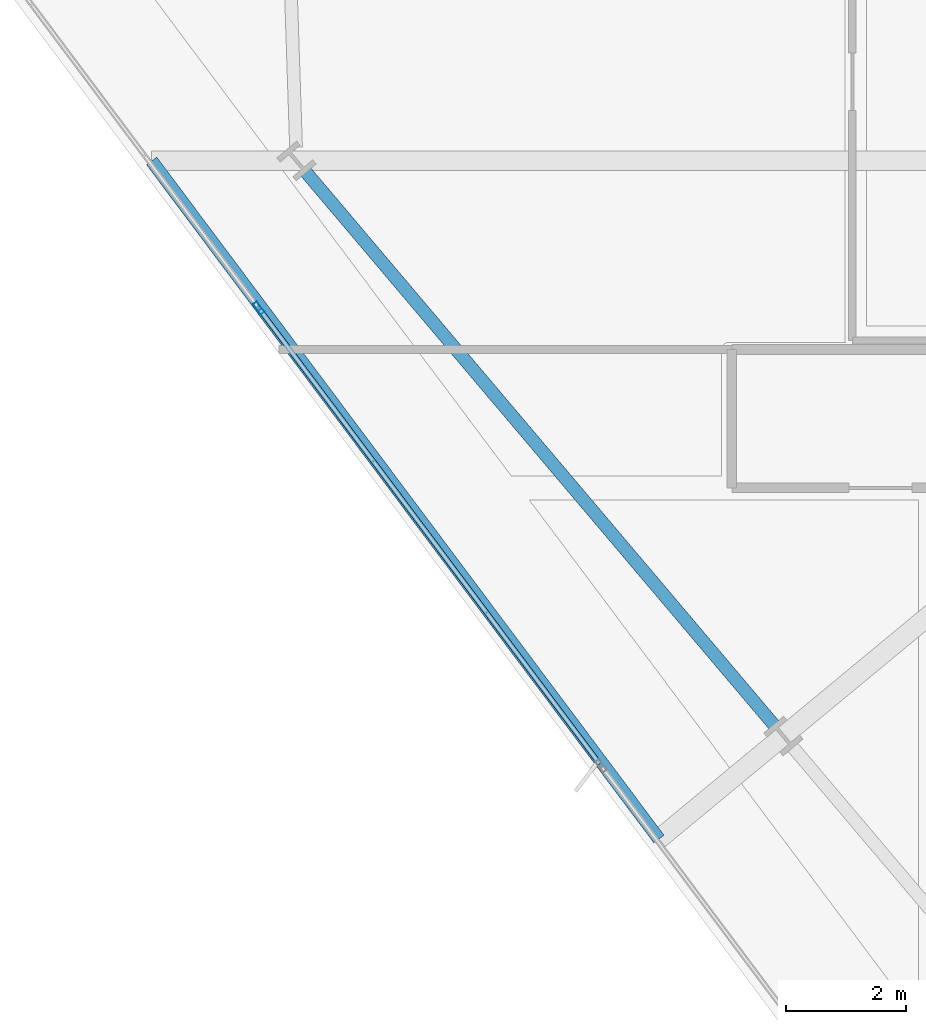
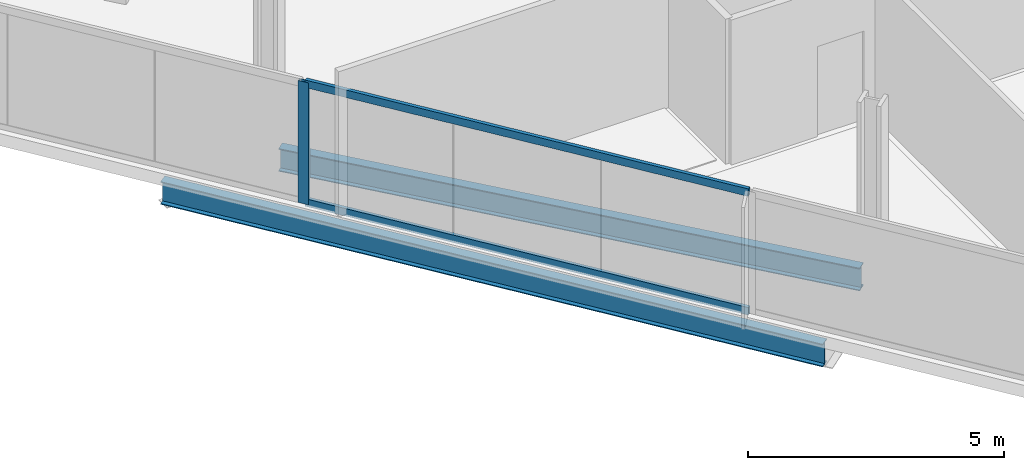
# One storey, part 4 of 32: 3 members, 2 beams, 1 element without a shape of its own.
"""IFC4 building model written with IfcOpenShell, lengths in metres."""

import ifcopenshell
import ifcopenshell.guid

model = None  # the IFC model being written
_history = None  # IfcOwnerHistory: only IFC2X3 demands one
_inside = {}  # id of a spatial element -> (the spatial element, [elements in it])
_under = {}  # id of a project, library or spatial element -> (it, [spatial elements below it])
_declared = {}  # id of a project -> (the project, [libraries it declares])
_typed = {}  # id of a type object -> (the type object, [elements of that type])
_made_of = {}  # id of a material, layer set ... -> (it, [elements and type objects made of it])


def new_model(schema):
    """Start an empty IFC model of exactly this schema.

    Asked for "IFC4X3", IfcOpenShell would pick the latest addendum, in which some entities
    have other attributes; the version numbers below select the first issue.
    IFC2X3 requires an IfcOwnerHistory on every rooted entity: one is made here for all.
    """
    global model, _history
    if schema == "IFC4X3":
        model = ifcopenshell.file(schema_version=(4, 3, 0, 0))
    else:
        model = ifcopenshell.file(schema=schema)
    _inside.clear()
    _under.clear()
    _declared.clear()
    _typed.clear()
    _made_of.clear()
    _history = None
    if model.schema == "IFC2X3":
        org = make("IfcOrganization", Name="unknown")
        user = make(
            "IfcPersonAndOrganization",
            ThePerson=make("IfcPerson", FamilyName="unknown"),
            TheOrganization=org,
        )
        app = make(
            "IfcApplication",
            ApplicationDeveloper=org,
            Version="unknown",
            ApplicationFullName="unknown",
            ApplicationIdentifier="unknown",
        )
        _history = make(
            "IfcOwnerHistory",
            OwningUser=user,
            OwningApplication=app,
            ChangeAction="ADDED",
            CreationDate=0,
        )
    return model


def make(cls, **values):
    """One entity of the class cls with the attributes given. An attribute that is None is left unset."""
    return model.create_entity(
        cls, **{name: value for name, value in values.items() if value is not None}
    )


def rooted(cls, **values):
    """An entity with a GlobalId (a new one), such as an element, a storey or a relation."""
    return make(cls, GlobalId=ifcopenshell.guid.new(), OwnerHistory=_history, **values)


def si_unit(unit_type, name, prefix=None):
    """IfcSIUnit, for example si_unit("LENGTHUNIT", "METRE", prefix="MILLI")."""
    return make("IfcSIUnit", UnitType=unit_type, Prefix=prefix, Name=name)


def assignment(units):
    """IfcUnitAssignment: the units of a project."""
    return None if units is None else make("IfcUnitAssignment", Units=units)


def point(xyz):
    """IfcCartesianPoint."""
    return None if xyz is None else make("IfcCartesianPoint", Coordinates=xyz)


def direction(xyz):
    """IfcDirection."""
    return None if xyz is None else make("IfcDirection", DirectionRatios=xyz)


def frame(location, z_axis=None, x_axis=None):
    """IfcAxis2Placement3D, a coordinate frame: its origin and axes. An axis left out is left unset."""
    return make(
        "IfcAxis2Placement3D",
        Location=point(location),
        Axis=direction(z_axis),
        RefDirection=direction(x_axis),
    )


def frame_2d(location, x_axis=None):
    """IfcAxis2Placement2D, a coordinate frame in the plane: its origin and x axis."""
    return make(
        "IfcAxis2Placement2D", Location=point(location), RefDirection=direction(x_axis)
    )


def origin():
    """The frame at (0, 0, 0) with its axes left unset."""
    return frame((0.0, 0.0, 0.0))


def origin_2d():
    """The frame at (0, 0) in the plane with its x axis left unset."""
    return frame_2d((0.0, 0.0))


def place(relative_to, where):
    """IfcLocalPlacement: puts the frame where relative to a parent placement (None: the world)."""
    return make(
        "IfcLocalPlacement", PlacementRelTo=relative_to, RelativePlacement=where
    )


def context(
    kind, dimensions, precision=None, world=None, true_north=None, identifier=None
):
    """IfcGeometricRepresentationContext, for example the 3D "Model" context."""
    return make(
        "IfcGeometricRepresentationContext",
        ContextIdentifier=identifier,
        ContextType=kind,
        CoordinateSpaceDimension=dimensions,
        Precision=precision,
        WorldCoordinateSystem=world,
        TrueNorth=true_north,
    )


def subcontext(parent, identifier, kind, view, scale=None):
    """IfcGeometricRepresentationSubContext, for example "Body" below "Model"."""
    return make(
        "IfcGeometricRepresentationSubContext",
        ContextIdentifier=identifier,
        ContextType=kind,
        ParentContext=parent,
        TargetScale=scale,
        TargetView=view,
    )


def project(units=None, contexts=None):
    """IfcProject with its units and contexts."""
    return rooted(
        "IfcProject",
        Name="project",
        RepresentationContexts=contexts,
        UnitsInContext=assignment(units),
    )


def spatial(cls, under=None, at=None, **own):
    """A site, building, storey or space (cls), placed at a placement, below another one or the project."""
    s = rooted(cls, ObjectPlacement=at, **own)
    if under is not None:
        _under.setdefault(under.id(), (under, []))[1].append(s)
    return s


def profile(cls, at=None, kind="AREA", **sizes):
    """A parametric profile (cls). Its sizes go by their IFC names, for example OverallWidth=200.0."""
    return make(cls, ProfileType=kind, Position=at, **sizes)


def hollow_rectangle(**sizes):
    """IfcRectangleHollowProfileDef."""
    return profile("IfcRectangleHollowProfileDef", **sizes)


def i_section(**sizes):
    """IfcIShapeProfileDef."""
    return profile("IfcIShapeProfileDef", **sizes)


def extrude(swept, where, along, depth):
    """IfcExtrudedAreaSolid: the profile swept, set in the frame where, extruded along a direction by depth."""
    return make(
        "IfcExtrudedAreaSolid",
        SweptArea=swept,
        Position=where,
        ExtrudedDirection=direction(along),
        Depth=depth,
    )


def shape(context_of_items, identifier, shape_type, items):
    """IfcShapeRepresentation: the items that make up one representation, for example the "Body"."""
    return make(
        "IfcShapeRepresentation",
        ContextOfItems=context_of_items,
        RepresentationIdentifier=identifier,
        RepresentationType=shape_type,
        Items=items,
    )


def material(Name=None, Category=None):
    """IfcMaterial."""
    return make("IfcMaterial", Name=Name, Category=Category)


def material_profile(
    of_material, cross_section, Name=None, Category=None, Priority=None
):
    """IfcMaterialProfile: a cross section and its material."""
    return make(
        "IfcMaterialProfile",
        Name=Name,
        Material=of_material,
        Profile=cross_section,
        Priority=Priority,
        Category=Category,
    )


def profile_set(profiles, Name=None, composite=None):
    """IfcMaterialProfileSet."""
    return make(
        "IfcMaterialProfileSet",
        Name=Name,
        MaterialProfiles=profiles,
        CompositeProfile=composite,
    )


def made_of(thing, what):
    """Note that an element or type object is made of a material, layer set ...; save() writes the relation."""
    if what is not None:
        _made_of.setdefault(what.id(), (what, []))[1].append(thing)
    return thing


def type_object(cls, material=None, **own):
    """A type object (cls), such as IfcWallType, which elements share."""
    return made_of(rooted(cls, **own), material)


def element(
    cls,
    number,
    at=None,
    inside=None,
    cuts=None,
    type_object=None,
    material=None,
    context=None,
    identifier="Body",
    shape_type=None,
    held_by="IfcProductDefinitionShape",
    body=None,
    shapes=None,
    **own,
):
    """One element of the class cls, such as IfcWall. Its Tag is "e" and its number.

    at: its placement. inside: the storey or other place that contains it. cuts: it is an
    opening in that element (IfcRelVoidsElement). A single representation is given by context,
    identifier, shape_type and body (its items); several are given by shapes. held_by: the class
    of the entity that holds the representations. save() writes the other relations.
    """
    e = rooted(cls, Tag="e%d" % number, ObjectPlacement=at, **own)
    if body is not None:
        shapes = [shape(context, identifier, shape_type, body)]
    if shapes is not None:
        e.Representation = make(held_by, Representations=shapes)
    if inside is not None:
        _inside.setdefault(inside.id(), (inside, []))[1].append(e)
    if cuts is not None:
        rooted(
            "IfcRelVoidsElement", RelatingBuildingElement=cuts, RelatedOpeningElement=e
        )
    if type_object is not None:
        _typed.setdefault(type_object.id(), (type_object, []))[1].append(e)
    return made_of(e, material)


def aggregate(whole, parts):
    """IfcRelAggregates: a whole, such as a stair, and the parts it consists of."""
    return rooted("IfcRelAggregates", RelatingObject=whole, RelatedObjects=parts)


def save(model, path):
    """Write the relations noted so far, then the file.

    IfcRelAggregates (storeys below a building ...), IfcRelContainedInSpatialStructure (elements
    in a storey), IfcRelDefinesByType, IfcRelAssociatesMaterial and IfcRelDeclares: one each for
    every whole, place, type object, material and project.
    """
    for whole, parts in _under.values():
        aggregate(whole, parts)
    for where, things in _inside.values():
        rooted(
            "IfcRelContainedInSpatialStructure",
            RelatedElements=things,
            RelatingStructure=where,
        )
    for kind, things in _typed.values():
        rooted("IfcRelDefinesByType", RelatedObjects=things, RelatingType=kind)
    for what, things in _made_of.values():
        rooted("IfcRelAssociatesMaterial", RelatedObjects=things, RelatingMaterial=what)
    for by, libraries in _declared.values():
        rooted("IfcRelDeclares", RelatingContext=by, RelatedDefinitions=libraries)
    model.write(path)


model = new_model("IFC4")

# Units and contexts
model_context = context("Model", 3, precision=1e-05, world=origin(), true_north=direction((0.0, 1.0)))
body_context = subcontext(model_context, "Body", "Model", "MODEL_VIEW")
ifc_project = project(units=[si_unit("LENGTHUNIT", "METRE"), si_unit("AREAUNIT", "SQUARE_METRE"), si_unit("VOLUMEUNIT", "CUBIC_METRE"), si_unit("PLANEANGLEUNIT", "RADIAN"), si_unit("MASSUNIT", "GRAM", prefix="KILO")], contexts=[model_context])

# Site, building, storey
site_placement = place(None, origin())
site = spatial("IfcSite", under=ifc_project, at=site_placement, CompositionType="ELEMENT")
building_placement = place(site_placement, origin())
building = spatial("IfcBuilding", under=site, at=building_placement, Name="Haldenkirk Collegiate Tower", CompositionType="ELEMENT")
storey_placement = place(building_placement, frame((0.0, 0.0, 151.949951171875)))
storey = spatial("IfcBuildingStorey", under=building, at=storey_placement, Name="L37", CompositionType="ELEMENT", Elevation=151.949951171875)

# Beams
ifc_material_1 = material(Name="Steel ASTM A992 Grade 50", Category="steel")
ifc_material_profile_1 = material_profile(ifc_material_1, i_section(OverallWidth=0.2119140625, OverallDepth=0.5439453125, WebThickness=0.01318359375, FlangeThickness=0.021240234375, at=origin_2d()), Name="W21X83")
ifc_profile_set_1 = profile_set([ifc_material_profile_1], Name="Steel ASTM A992 Grade 50")
beam_type = type_object("IfcBeamType", Name="BM-SPANDREL-W21X83", PredefinedType="SPANDREL", material=ifc_profile_set_1)
beam_1_placement = place(storey_placement, frame((11.111328125, 20.80859375, -0.56201171875), z_axis=(0.646126367676, -0.763230448157, 0.0), x_axis=(0.763230448157, 0.646126367676, 0.0)))
element("IfcBeam", 1, at=beam_1_placement, inside=storey, type_object=beam_type, Name="L37 perimeter spandrel beam 14", PredefinedType="SPANDREL", context=body_context, shape_type="SweptSolid", body=[
    extrude(i_section(OverallWidth=0.2119140625, OverallDepth=0.5439453125, WebThickness=0.01318359375, FlangeThickness=0.021240234375, at=origin_2d()), origin(), (0.0, 0.0, 1.0), 12.06494140625),
])
beam_2_placement = place(storey_placement, frame((8.556396484375, 20.9833984375, -0.56201171875), z_axis=(0.599028095072, -0.800728007075, 0.0), x_axis=(0.800728007075, 0.599028095072, 0.0)))
element("IfcBeam", 2, at=beam_2_placement, inside=storey, type_object=beam_type, Name="L37 outer facade edge beam 4", PredefinedType="SPANDREL", context=body_context, shape_type="SweptSolid", body=[
    extrude(i_section(OverallWidth=0.2119140625, OverallDepth=0.5439453125, WebThickness=0.01318359375, FlangeThickness=0.021240234375, at=origin_2d()), origin(), (0.0, 0.0, 1.0), 14.073486328125),
])

# Curtain wall, members
ifc_material_2 = material(Name="Anodised architectural bronze aluminium", Category="aluminium")
curtain_wall_type = type_object("IfcCurtainWallType", Name="CW-SYS1-CONVEX-LOW", PredefinedType="USERDEFINED", material=ifc_material_2)
curtain_wall_placement = place(storey_placement, origin())
curtain_wall = element("IfcCurtainWall", 3, at=curtain_wall_placement, inside=storey, type_object=curtain_wall_type, Name="L37 Lower tower convex bronze-framed unitised curtain wall", ObjectType="UNITISED CURTAIN WALL", PredefinedType="USERDEFINED")
ifc_material_profile_2 = material_profile(ifc_material_2, hollow_rectangle(XDim=0.080078125, YDim=0.219970703125, WallThickness=0.0048828125, at=origin_2d()), Name="CW-MUL-1A")
ifc_profile_set_2 = profile_set([ifc_material_profile_2], Name="Anodised architectural bronze aluminium")
member_type_1 = type_object("IfcMemberType", Name="CW-MUL-1A", PredefinedType="MULLION", material=ifc_profile_set_2)
member_1_placement = place(storey_placement, frame((10.334716796875, 18.539306640625, 0.0), z_axis=(0.0, 0.0, 1.0), x_axis=(-0.800730460187, -0.599024815954, 0.0)))
member_1 = element("IfcMember", 4, at=member_1_placement, type_object=member_type_1, Name="CW-1A mullion 4", PredefinedType="MULLION", context=body_context, shape_type="SweptSolid", body=[
    extrude(hollow_rectangle(XDim=0.080078125, YDim=0.219970703125, WallThickness=0.0048828125, at=origin_2d()), origin(), (0.0, 0.0, 1.0), 2.9111328125),
])
ifc_material_profile_3 = material_profile(ifc_material_2, hollow_rectangle(XDim=0.080078125, YDim=0.179931640625, WallThickness=0.0048828125, at=origin_2d()), Name="CW-TRN-1A")
ifc_profile_set_3 = profile_set([ifc_material_profile_3], Name="Anodised architectural bronze aluminium")
member_type_2 = type_object("IfcMemberType", Name="CW-TRN-1A", PredefinedType="USERDEFINED", material=ifc_profile_set_3)
member_2_placement = place(storey_placement, frame((16.001708984375, 10.96435546875, 0.0400390625), z_axis=(-0.599020923025, 0.800733372465, 0.0), x_axis=(-0.800733372465, -0.599020923025, 0.0)))
member_2 = element("IfcMember", 5, at=member_2_placement, type_object=member_type_2, Name="CW-1A transom 3.1", ObjectType="TRANSOM", PredefinedType="USERDEFINED", context=body_context, shape_type="SweptSolid", body=[
    extrude(hollow_rectangle(XDim=0.080078125, YDim=0.179931640625, WallThickness=0.0048828125, at=origin_2d()), origin(), (0.0, 0.0, 1.0), 9.420166015625),
])
member_3_placement = place(storey_placement, frame((16.001708984375, 10.96435546875, 2.87109375), z_axis=(-0.599020923025, 0.800733372465, 0.0), x_axis=(-0.800733372465, -0.599020923025, 0.0)))
member_3 = element("IfcMember", 6, at=member_3_placement, type_object=member_type_2, Name="CW-1A transom 3.2", ObjectType="TRANSOM", PredefinedType="USERDEFINED", context=body_context, shape_type="SweptSolid", body=[
    extrude(hollow_rectangle(XDim=0.080078125, YDim=0.179931640625, WallThickness=0.0048828125, at=origin_2d()), origin(), (0.0, 0.0, 1.0), 9.420166015625),
])
aggregate(curtain_wall, [member_1, member_2, member_3])

save(model, "model.ifc")
